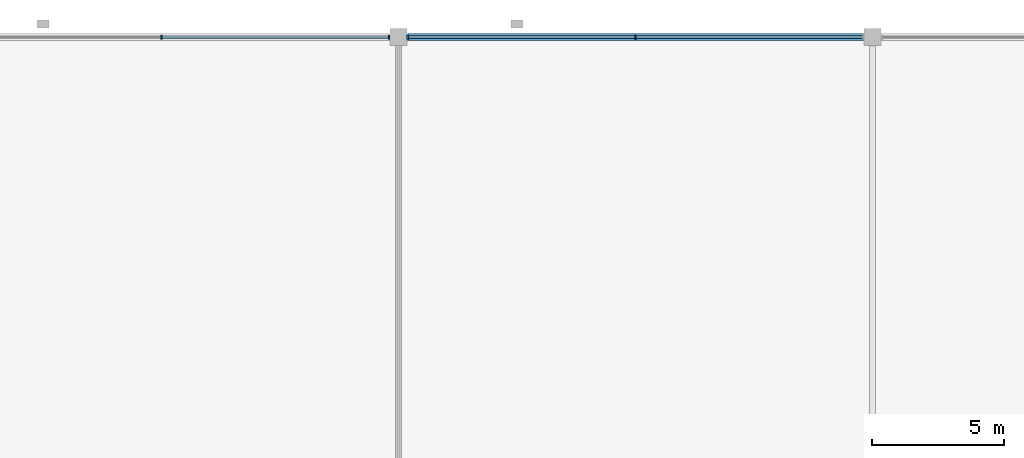
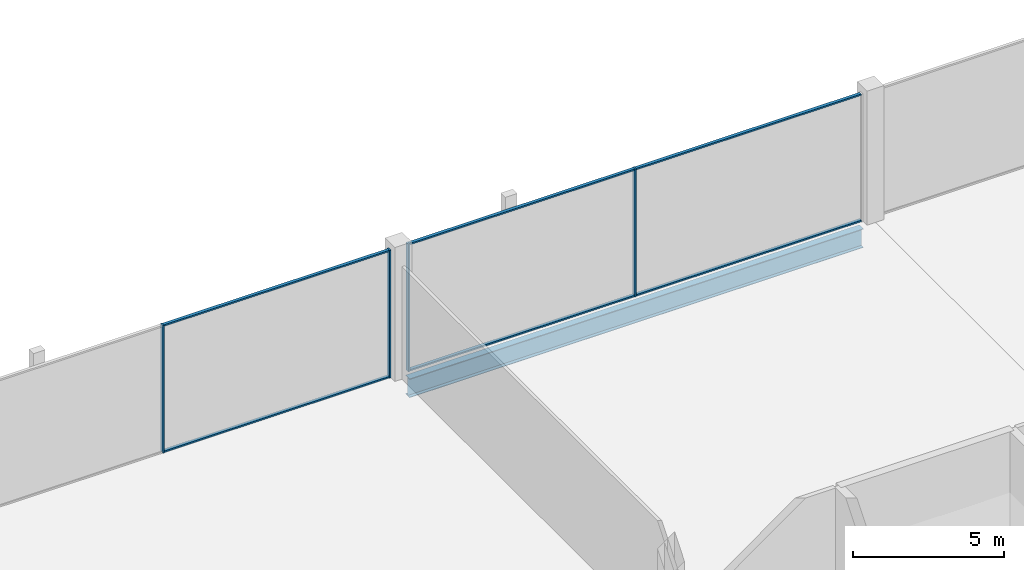
# One storey, part 41 of 113: 10 members, 1 beam, 2 elements without a shape of their own.
"""IFC4 building model written with IfcOpenShell, lengths in metres."""

from ifc_helpers import new_model, si_unit, direction, frame, origin, origin_2d, place, context, subcontext, project, spatial, rectangle, i_section, extrude, material, layer, layer_set, material_profile, profile_set, type_object, element, aggregate, save


model = new_model("IFC4")

# Units and contexts
model_context = context("Model", 3, precision=1e-05, world=origin(), true_north=direction((0.0, 1.0)))
body_context = subcontext(model_context, "Body", "Model", "MODEL_VIEW")
ifc_project = project(units=[si_unit("LENGTHUNIT", "METRE"), si_unit("AREAUNIT", "SQUARE_METRE"), si_unit("VOLUMEUNIT", "CUBIC_METRE"), si_unit("PLANEANGLEUNIT", "RADIAN"), si_unit("MASSUNIT", "GRAM", prefix="KILO")], contexts=[model_context])

# Site, building, storey
site_placement = place(None, origin())
site = spatial("IfcSite", under=ifc_project, at=site_placement, CompositionType="ELEMENT")
building_placement = place(site_placement, origin())
building = spatial("IfcBuilding", under=site, at=building_placement, Name="Kisiwana Market Hall", CompositionType="ELEMENT")
storey_placement = place(building_placement, frame((0.0, 0.0, 6.0)))
storey = spatial("IfcBuildingStorey", under=building, at=storey_placement, Name="L01", CompositionType="ELEMENT", Elevation=6.0)

# Beam
ifc_material_1 = material(Name="Steel S355", Category="steel")
ifc_material_profile_1 = material_profile(ifc_material_1, i_section(OverallWidth=0.2666015625, OverallDepth=0.76220703125, WebThickness=0.014404296875, FlangeThickness=0.021484375, at=origin_2d()), Name="UB 762x267x173")
ifc_profile_set_1 = profile_set([ifc_material_profile_1], Name="Steel S355")
beam_type = type_object("IfcBeamType", Name="BM-GIRD-UB762", PredefinedType="BEAM", material=ifc_profile_set_1)
beam_placement = place(storey_placement, frame((81.345947265625, 120.0, -0.631103515625), z_axis=(1.0, 0.0, 0.0), x_axis=(0.0, 1.0, 0.0)))
element("IfcBeam", 1, at=beam_placement, inside=storey, type_object=beam_type, Name="Floor beam B-0547", PredefinedType="BEAM", context=body_context, shape_type="SweptSolid", body=[
    extrude(i_section(OverallWidth=0.2666015625, OverallDepth=0.76220703125, WebThickness=0.014404296875, FlangeThickness=0.021484375, at=origin_2d()), origin(), (0.0, 0.0, 1.0), 17.30810546875),
])

# Curtain wall, members
ifc_material_2 = material(Name="Double-glazed solar-control low-E IGU", Category="glass")
ifc_layer = layer(ifc_material_2, 0.159912109375)
ifc_layer_set = layer_set([ifc_layer], Name="CW-FC-N-8100")
curtain_wall_type = type_object("IfcCurtainWallType", Name="CW-FC-N-8100", PredefinedType="USERDEFINED", material=ifc_layer_set)
curtain_wall_1_placement = place(storey_placement, origin())
curtain_wall_1 = element("IfcCurtainWall", 2, at=curtain_wall_1_placement, inside=storey, type_object=curtain_wall_type, Name="Unitised curtain wall CW-037 (L01)", ObjectType="UNITISED CURTAIN WALL", PredefinedType="USERDEFINED")
ifc_material_3 = material(Name="Aluminium alloy 6063-T6", Category="aluminium")
ifc_material_profile_2 = material_profile(ifc_material_3, rectangle(XDim=0.06005859375, YDim=0.159912109375, at=origin_2d()), Name="ALU MULLION 60x160")
ifc_profile_set_2 = profile_set([ifc_material_profile_2], Name="Aluminium alloy 6063-T6")
member_type_1 = type_object("IfcMemberType", Name="CW-MULL-60x160", PredefinedType="MULLION", material=ifc_profile_set_2)
member_1_placement = place(storey_placement, frame((72.0, 120.0, 0.0), z_axis=(0.0, 0.0, 1.0), x_axis=(1.0, 0.0, 0.0)))
member_1 = element("IfcMember", 3, at=member_1_placement, type_object=member_type_1, Name="CW-037 mullion 2", PredefinedType="MULLION", context=body_context, shape_type="SweptSolid", body=[
    extrude(rectangle(XDim=0.06005859375, YDim=0.159912109375, at=origin_2d()), origin(), (0.0, 0.0, 1.0), 5.14990234375),
])
member_2_placement = place(storey_placement, frame((80.64501953125, 120.0, 0.0), z_axis=(0.0, 0.0, 1.0), x_axis=(1.0, 0.0, 0.0)))
member_2 = element("IfcMember", 4, at=member_2_placement, type_object=member_type_1, Name="CW-037 mullion 3", PredefinedType="MULLION", context=body_context, shape_type="SweptSolid", body=[
    extrude(rectangle(XDim=0.06005859375, YDim=0.159912109375, at=origin_2d()), origin(), (0.0, 0.0, 1.0), 5.14990234375),
])

curtain_wall_2_placement = place(storey_placement, origin())
curtain_wall_2 = element("IfcCurtainWall", 5, at=curtain_wall_2_placement, inside=storey, type_object=curtain_wall_type, Name="Unitised curtain wall CW-038 (L01)", ObjectType="UNITISED CURTAIN WALL", PredefinedType="USERDEFINED")
member_3_placement = place(storey_placement, frame((81.35498046875, 120.0, 0.0), z_axis=(0.0, 0.0, 1.0), x_axis=(1.0, 0.0, 0.0)))
member_3 = element("IfcMember", 6, at=member_3_placement, type_object=member_type_1, Name="CW-038 mullion 1", PredefinedType="MULLION", context=body_context, shape_type="SweptSolid", body=[
    extrude(rectangle(XDim=0.06005859375, YDim=0.159912109375, at=origin_2d()), origin(), (0.0, 0.0, 1.0), 5.14990234375),
])
member_4_placement = place(storey_placement, frame((90.0, 120.0, 0.0), z_axis=(0.0, 0.0, 1.0), x_axis=(1.0, 0.0, 0.0)))
member_4 = element("IfcMember", 7, at=member_4_placement, type_object=member_type_1, Name="CW-038 mullion 2", PredefinedType="MULLION", context=body_context, shape_type="SweptSolid", body=[
    extrude(rectangle(XDim=0.06005859375, YDim=0.159912109375, at=origin_2d()), origin(), (0.0, 0.0, 1.0), 5.14990234375),
])

# Member
ifc_material_4 = material(Name="Aluminium alloy 6063-T6", Category="aluminium")
ifc_material_profile_3 = material_profile(ifc_material_4, rectangle(XDim=0.1201171875, YDim=0.06005859375, at=origin_2d()), Name="ALU TRANSOM 60x120")
ifc_profile_set_3 = profile_set([ifc_material_profile_3], Name="Aluminium alloy 6063-T6")
member_type_2 = type_object("IfcMemberType", Name="CW-TRAN-60x120", PredefinedType="USERDEFINED", material=ifc_profile_set_3)
member_5_placement = place(storey_placement, frame((72.030029296875, 120.0, 0.030029296875), z_axis=(1.0, 0.0, 0.0), x_axis=(0.0, 1.0, 0.0)))
member_5 = element("IfcMember", 8, at=member_5_placement, type_object=member_type_2, Name="CW-037 transom 2.1", ObjectType="TRANSOM", PredefinedType="USERDEFINED", context=body_context, shape_type="SweptSolid", body=[
    extrude(rectangle(XDim=0.1201171875, YDim=0.06005859375, at=origin_2d()), origin(), (0.0, 0.0, 1.0), 8.5849609375),
])

member_6_placement = place(storey_placement, frame((72.030029296875, 120.0, 5.1201171875), z_axis=(1.0, 0.0, 0.0), x_axis=(0.0, 1.0, 0.0)))
member_6 = element("IfcMember", 9, at=member_6_placement, type_object=member_type_2, Name="CW-037 transom 2.2", ObjectType="TRANSOM", PredefinedType="USERDEFINED", context=body_context, shape_type="SweptSolid", body=[
    extrude(rectangle(XDim=0.1201171875, YDim=0.06005859375, at=origin_2d()), origin(), (0.0, 0.0, 1.0), 8.5849609375),
])

aggregate(curtain_wall_1, [member_1, member_2, member_5, member_6])

member_7_placement = place(storey_placement, frame((81.385009765625, 120.0, 0.030029296875), z_axis=(1.0, 0.0, 0.0), x_axis=(0.0, 1.0, 0.0)))
member_7 = element("IfcMember", 10, at=member_7_placement, type_object=member_type_2, Name="CW-038 transom 1.1", ObjectType="TRANSOM", PredefinedType="USERDEFINED", context=body_context, shape_type="SweptSolid", body=[
    extrude(rectangle(XDim=0.1201171875, YDim=0.06005859375, at=origin_2d()), origin(), (0.0, 0.0, 1.0), 8.5849609375),
])

member_8_placement = place(storey_placement, frame((81.385009765625, 120.0, 5.1201171875), z_axis=(1.0, 0.0, 0.0), x_axis=(0.0, 1.0, 0.0)))
member_8 = element("IfcMember", 11, at=member_8_placement, type_object=member_type_2, Name="CW-038 transom 1.2", ObjectType="TRANSOM", PredefinedType="USERDEFINED", context=body_context, shape_type="SweptSolid", body=[
    extrude(rectangle(XDim=0.1201171875, YDim=0.06005859375, at=origin_2d()), origin(), (0.0, 0.0, 1.0), 8.5849609375),
])

member_9_placement = place(storey_placement, frame((90.030029296875, 120.0, 0.030029296875), z_axis=(1.0, 0.0, 0.0), x_axis=(0.0, 1.0, 0.0)))
member_9 = element("IfcMember", 12, at=member_9_placement, type_object=member_type_2, Name="CW-038 transom 2.1", ObjectType="TRANSOM", PredefinedType="USERDEFINED", context=body_context, shape_type="SweptSolid", body=[
    extrude(rectangle(XDim=0.1201171875, YDim=0.06005859375, at=origin_2d()), origin(), (0.0, 0.0, 1.0), 8.5849609375),
])

member_10_placement = place(storey_placement, frame((90.030029296875, 120.0, 5.1201171875), z_axis=(1.0, 0.0, 0.0), x_axis=(0.0, 1.0, 0.0)))
member_10 = element("IfcMember", 13, at=member_10_placement, type_object=member_type_2, Name="CW-038 transom 2.2", ObjectType="TRANSOM", PredefinedType="USERDEFINED", context=body_context, shape_type="SweptSolid", body=[
    extrude(rectangle(XDim=0.1201171875, YDim=0.06005859375, at=origin_2d()), origin(), (0.0, 0.0, 1.0), 8.5849609375),
])

aggregate(curtain_wall_2, [member_3, member_4, member_7, member_8, member_9, member_10])

save(model, "model.ifc")
